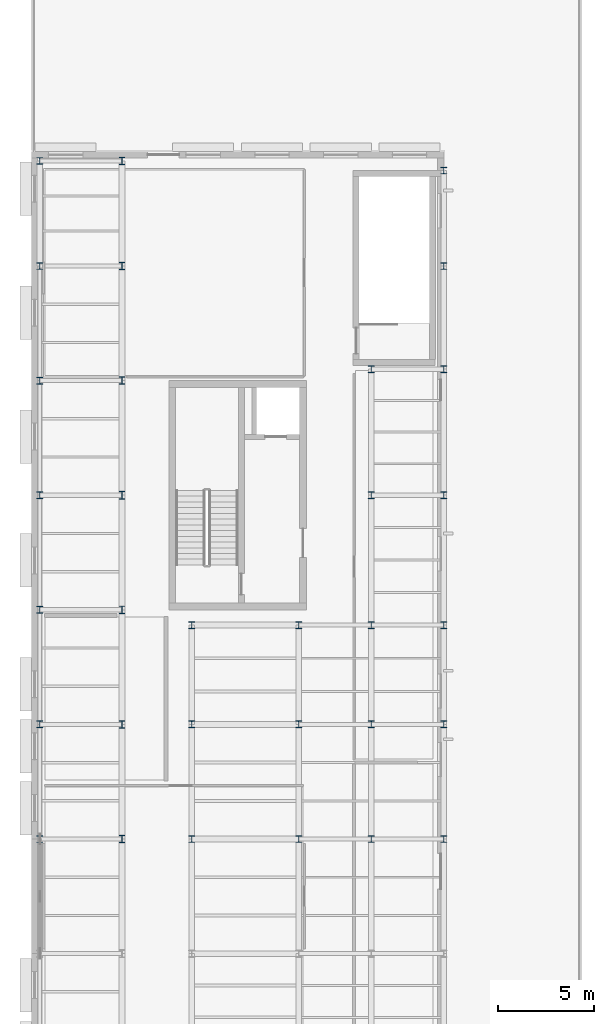
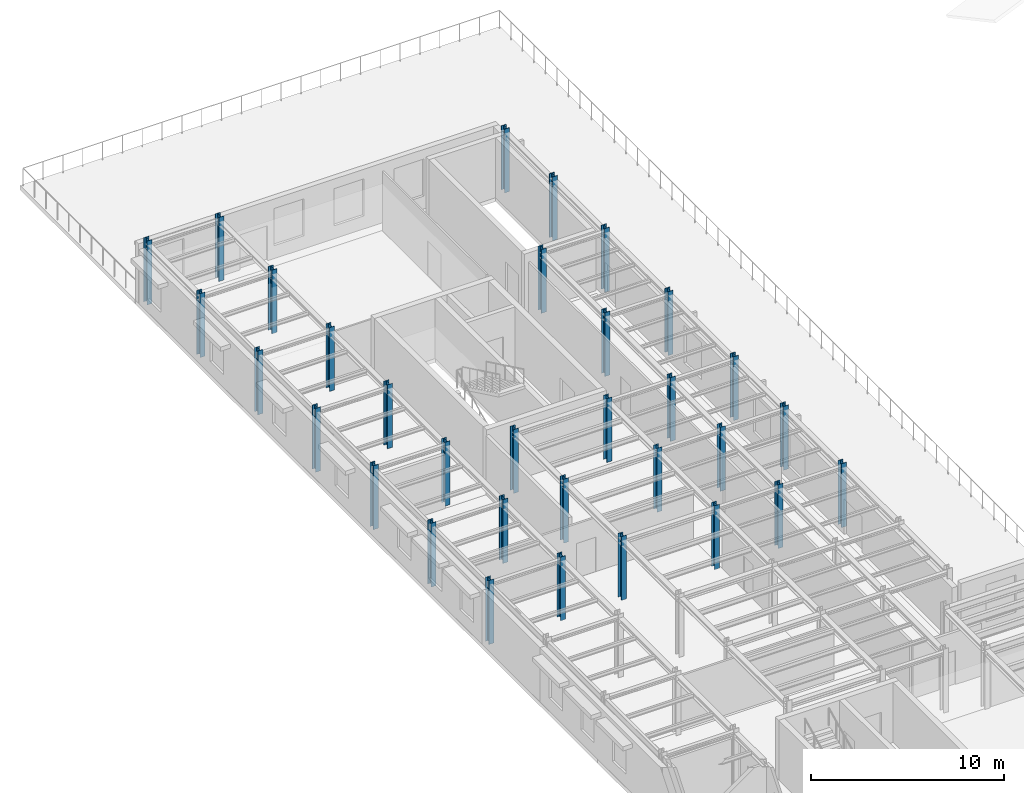
# One storey, part 2 of 13: 32 columns.
"""IFC4 building model written with IfcOpenShell, lengths in metres."""

from ifc_helpers import new_model, si_unit, direction, frame, origin, origin_2d, place, context, subcontext, project, spatial, i_section, extrude, material, material_profile, profile_set, type_object, element, save


model = new_model("IFC4")

# Units and contexts
model_context = context("Model", 3, precision=1e-05, world=origin(), true_north=direction((0.0, 1.0)))
body_context = subcontext(model_context, "Body", "Model", "MODEL_VIEW")
ifc_project = project(units=[si_unit("LENGTHUNIT", "METRE"), si_unit("AREAUNIT", "SQUARE_METRE"), si_unit("VOLUMEUNIT", "CUBIC_METRE"), si_unit("PLANEANGLEUNIT", "RADIAN"), si_unit("MASSUNIT", "GRAM", prefix="KILO")], contexts=[model_context])

# Site, building, storey
site_placement = place(None, origin())
site = spatial("IfcSite", under=ifc_project, at=site_placement, CompositionType="ELEMENT")
building_placement = place(site_placement, origin())
building = spatial("IfcBuilding", under=site, at=building_placement, Name="Kolvaren Corner Interchange", CompositionType="ELEMENT")
storey_placement = place(building_placement, frame((0.0, 0.0, 14.699951171875)))
storey = spatial("IfcBuildingStorey", under=building, at=storey_placement, Name="L04", CompositionType="ELEMENT", Elevation=14.699951171875)

# Columns
ifc_material_1 = material(Name="Steel S355", Category="steel")
ifc_material_profile_1 = material_profile(ifc_material_1, i_section(OverallWidth=0.300048828125, OverallDepth=0.360107421875, WebThickness=0.012451171875, FlangeThickness=0.0224609375, FilletRadius=0.027099609375, at=origin_2d()), Name="HEB 360")
ifc_profile_set_1 = profile_set([ifc_material_profile_1], Name="Steel S355")
column_type_1 = type_object("IfcColumnType", Name="COL-HEB360", PredefinedType="COLUMN", material=ifc_profile_set_1)
for number, where, z_axis, x_axis, name in (
    (1, (0.449951171875, 36.0, 0.0), (0.0, 0.0, 1.0), (1.0, 0.0, 0.0), "Storey L04 Structural Column 0034"),
    (2, (0.449951171875, 42.0, 0.0), (0.0, 0.0, 1.0), (1.0, 0.0, 0.0), "Storey L04 Structural Column 0039"),
    (3, (0.449951171875, 48.0, 0.0), (0.0, 0.0, 1.0), (1.0, 0.0, 0.0), "Storey L04 Structural Column 0044"),
    (4, (0.449951171875, 54.0, 0.0), (0.0, 0.0, 1.0), (1.0, 0.0, 0.0), "Storey L04 Structural Column 0049"),
    (5, (0.449951171875, 60.0, 0.0), (0.0, 0.0, 1.0), (1.0, 0.0, 0.0), "Storey L04 Structural Column 0054"),
    (6, (0.449951171875, 66.0, 0.0), (0.0, 0.0, 1.0), (1.0, 0.0, 0.0), "Storey L04 Structural Column 0058"),
    (7, (0.449951171875, 71.5, 0.0), (0.0, 0.0, 1.0), (1.0, 0.0, 0.0), "Storey L04 Structural Column 0062"),
    (8, (8.39990234375, 36.0, 0.0), (0.0, 0.0, 1.0), (1.0, 0.0, 0.0), "Storey L04 Structural Column 0234"),
    (9, (8.39990234375, 42.0, 0.0), (0.0, 0.0, 1.0), (1.0, 0.0, 0.0), "Storey L04 Structural Column 0240"),
    (10, (8.39990234375, 47.199951171875, 0.0), (0.0, 0.0, 1.0), (1.0, 0.0, 0.0), "Storey L04 Structural Column 0246"),
    (11, (14.0, 36.0, 0.0), (0.0, 0.0, 1.0), (1.0, 0.0, 0.0), "Storey L04 Structural Column 0270"),
    (12, (14.0, 42.0, 0.0), (0.0, 0.0, 1.0), (1.0, 0.0, 0.0), "Storey L04 Structural Column 0276"),
    (13, (14.0, 47.199951171875, 0.0), (0.0, 0.0, 1.0), (1.0, 0.0, 0.0), "Storey L04 Structural Column 0282"),
    (14, (17.800048828125, 36.0, 0.0), (0.0, 0.0, 1.0), (1.0, 0.0, 0.0), "Storey L04 Structural Column 0306"),
    (15, (17.800048828125, 42.0, 0.0), (0.0, 0.0, 1.0), (1.0, 0.0, 0.0), "Storey L04 Structural Column 0312"),
    (16, (17.800048828125, 47.199951171875, 0.0), (0.0, 0.0, 1.0), (1.0, 0.0, 0.0), "Storey L04 Structural Column 0318"),
    (17, (17.800048828125, 54.0, 0.0), (0.0, 0.0, 1.0), (1.0, 0.0, 0.0), "Storey L04 Structural Column 0324"),
    (18, (17.800048828125, 60.60009765625, 0.0), (0.0, 0.0, 1.0), (1.0, 0.0, 0.0), "Storey L04 Structural Column 0330"),
    (19, (21.60009765625, 36.0, 0.0), (0.0, 0.0, 1.0), (1.0, 0.0, 0.0), "Storey L04 Structural Column 0347"),
    (20, (21.60009765625, 42.0, 0.0), (0.0, 0.0, 1.0), (1.0, 0.0, 0.0), "Storey L04 Structural Column 0353"),
    (21, (21.60009765625, 47.199951171875, 0.0), (0.0, 0.0, 1.0), (1.0, 0.0, 0.0), "Storey L04 Structural Column 0359"),
    (22, (21.60009765625, 54.0, 0.0), (0.0, 0.0, 1.0), (1.0, 0.0, 0.0), "Storey L04 Structural Column 0365"),
    (23, (21.60009765625, 60.60009765625, 0.0), (0.0, 0.0, 1.0), (1.0, 0.0, 0.0), "Storey L04 Structural Column 0371"),
    (24, (21.60009765625, 66.0, 0.0), (0.0, 0.0, 1.0), (1.0, 0.0, 0.0), "Storey L04 Structural Column 0376"),
    (25, (21.60009765625, 71.0, 0.0), (0.0, 0.0, 1.0), (1.0, 0.0, 0.0), "Storey L04 Structural Column 0381"),
):
    element("IfcColumn", number, at=place(storey_placement, frame(where, z_axis=z_axis, x_axis=x_axis)), inside=storey, type_object=column_type_1, Name=name, PredefinedType="COLUMN", context=body_context, shape_type="SweptSolid", body=[
        extrude(i_section(OverallWidth=0.300048828125, OverallDepth=0.360107421875, WebThickness=0.012451171875, FlangeThickness=0.0224609375, FilletRadius=0.027099609375, at=origin_2d()), origin(), (0.0, 0.0, 1.0), 4.050048828125),
    ])
ifc_material_2 = material(Name="Steel S355", Category="steel")
ifc_material_profile_2 = material_profile(ifc_material_2, i_section(OverallWidth=0.300048828125, OverallDepth=0.39990234375, WebThickness=0.013427734375, FlangeThickness=0.02392578125, FilletRadius=0.027099609375, at=origin_2d()), Name="HEB 400")
ifc_profile_set_2 = profile_set([ifc_material_profile_2], Name="Steel S355")
column_type_2 = type_object("IfcColumnType", Name="COL-HEB400", PredefinedType="COLUMN", material=ifc_profile_set_2)
for number, where, z_axis, x_axis, name in (
    (26, (4.75, 36.0, 0.0), (0.0, 0.0, 1.0), (1.0, 0.0, 0.0), "Storey L04 Structural Column 0102"),
    (27, (4.75, 42.0, 0.0), (0.0, 0.0, 1.0), (1.0, 0.0, 0.0), "Storey L04 Structural Column 0107"),
    (28, (4.75, 48.0, 0.0), (0.0, 0.0, 1.0), (1.0, 0.0, 0.0), "Storey L04 Structural Column 0112"),
    (29, (4.75, 54.0, 0.0), (0.0, 0.0, 1.0), (1.0, 0.0, 0.0), "Storey L04 Structural Column 0117"),
    (30, (4.75, 60.0, 0.0), (0.0, 0.0, 1.0), (1.0, 0.0, 0.0), "Storey L04 Structural Column 0122"),
    (31, (4.75, 66.0, 0.0), (0.0, 0.0, 1.0), (1.0, 0.0, 0.0), "Storey L04 Structural Column 0126"),
    (32, (4.75, 71.5, 0.0), (0.0, 0.0, 1.0), (1.0, 0.0, 0.0), "Storey L04 Structural Column 0130"),
):
    element("IfcColumn", number, at=place(storey_placement, frame(where, z_axis=z_axis, x_axis=x_axis)), inside=storey, type_object=column_type_2, Name=name, PredefinedType="COLUMN", context=body_context, shape_type="SweptSolid", body=[
        extrude(i_section(OverallWidth=0.300048828125, OverallDepth=0.39990234375, WebThickness=0.013427734375, FlangeThickness=0.02392578125, FilletRadius=0.027099609375, at=origin_2d()), origin(), (0.0, 0.0, 1.0), 4.050048828125),
    ])

save(model, "model.ifc")
